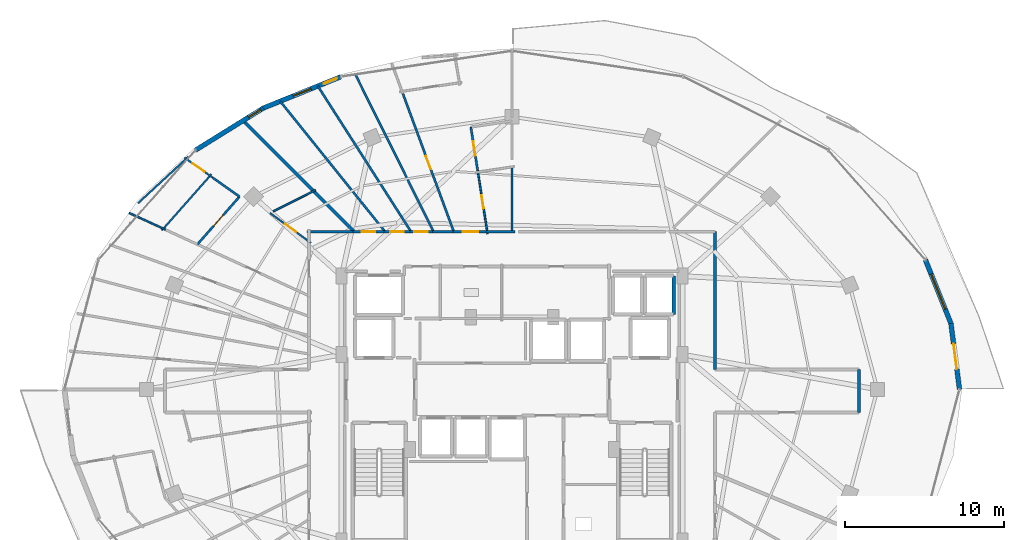
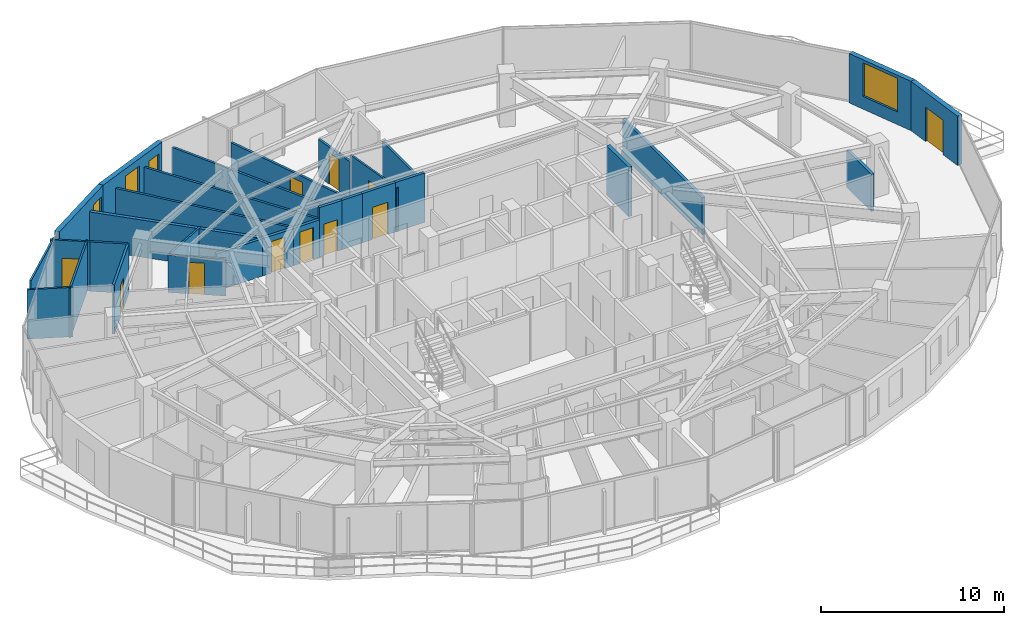
# One storey, part 28 of 32: 30 walls, 11 doors, 4 windows, 15 openings.
"""IFC4 building model written with IfcOpenShell, lengths in metres."""

from ifc_helpers import new_model, si_unit, direction, frame, frame_2d, origin, place, context, subcontext, project, spatial, rectangle, extrude, material, layer, layer_set, type_object, element, fill, save


model = new_model("IFC4")

# Units and contexts
model_context = context("Model", 3, precision=1e-05, world=origin(), true_north=direction((0.0, 1.0)))
body_context = subcontext(model_context, "Body", "Model", "MODEL_VIEW")
ifc_project = project(units=[si_unit("LENGTHUNIT", "METRE"), si_unit("AREAUNIT", "SQUARE_METRE"), si_unit("VOLUMEUNIT", "CUBIC_METRE"), si_unit("PLANEANGLEUNIT", "RADIAN"), si_unit("MASSUNIT", "GRAM", prefix="KILO")], contexts=[model_context])

# Site, building, storey
site_placement = place(None, origin())
site = spatial("IfcSite", under=ifc_project, at=site_placement, CompositionType="ELEMENT")
building_placement = place(site_placement, origin())
building = spatial("IfcBuilding", under=site, at=building_placement, Name="Vorneva Point Tower", CompositionType="ELEMENT")
storey_placement = place(building_placement, frame((0.0, 0.0, 207.199951171875)))
storey = spatial("IfcBuildingStorey", under=building, at=storey_placement, Name="L56", CompositionType="ELEMENT", Elevation=207.199951171875)

# Wall, opening, door
ifc_material_1 = material(Name="Precast concrete B50 (C40/50)", Category="concrete")
ifc_layer_1 = layer(ifc_material_1, 0.300048828125)
ifc_layer_set_1 = layer_set([ifc_layer_1], Name="Precast concrete B50 (C40/50)")
wall_type_1 = type_object("IfcWallType", Name="WL-EXT-300", PredefinedType="STANDARD", material=ifc_layer_set_1)
wall_1_placement = place(storey_placement, frame((66.22998046875, 26.0, 0.0), z_axis=(0.0, 0.0, 1.0), x_axis=(-0.129147853268, 0.991625348605, 0.0)))
wall_1 = element("IfcWall", 1, at=wall_1_placement, inside=storey, type_object=wall_type_1, Name="L56 Pale-Metal Facade Spandrel Wall 01.1", PredefinedType="STANDARD", context=body_context, shape_type="SweptSolid", body=[
    extrude(rectangle(XDim=4.200439453125, YDim=0.300048828125, at=frame_2d((2.10009765625, 0.0))), origin(), (0.0, 0.0, 1.0), 3.2900390625),
])
opening_1_placement = place(wall_1_placement, frame((1.30029296875, 0.0, 0.0)))
opening_1 = element("IfcOpeningElement", 2, at=opening_1_placement, cuts=wall_1, Name="Opening BD-01", PredefinedType="OPENING", context=body_context, shape_type="SweptSolid", body=[
    extrude(rectangle(XDim=1.60009765625, YDim=2.300048828125, at=frame_2d((0.800048828125, 1.14990234375))), frame((0.0, 0.1650390625, 0.0), z_axis=(0.0, -1.0, 0.0), x_axis=(1.0, 0.0, 0.0)), (0.0, 0.0, 1.0), 0.329833984375),
])
ifc_material_2 = material(Name="Pale anodised aluminium", Category="aluminium")
door_type_1 = type_object("IfcDoorType", Name="DR-BAL-1600", OperationType="SLIDING_TO_LEFT", PredefinedType="DOOR", material=ifc_material_2)
door_1_placement = place(opening_1_placement, origin())
door_1 = element("IfcDoor", 3, at=door_1_placement, inside=storey, type_object=door_type_1, Name="L56 Balcony Terrace Access Door 01", OperationType="SLIDING_TO_LEFT", OverallHeight=2.300048828125, OverallWidth=1.60009765625, PredefinedType="DOOR", context=body_context, shape_type="SweptSolid", body=[
    extrude(rectangle(XDim=1.60009765625, YDim=2.300048828125, at=frame_2d((0.800048828125, 1.14990234375))), frame((0.0, 0.02490234375, 0.0), z_axis=(0.0, -1.0, 0.0), x_axis=(1.0, 0.0, 0.0)), (0.0, 0.0, 1.0), 0.050048828125),
])
fill(opening_1, door_1)

# Wall, opening, window
wall_2_placement = place(storey_placement, frame((65.6875, 30.165283203125, 0.0), z_axis=(0.0, 0.0, 1.0), x_axis=(-0.372268409848, 0.928125116043, 0.0)))
wall_2 = element("IfcWall", 4, at=wall_2_placement, inside=storey, type_object=wall_type_1, Name="L56 Pale-Metal Facade Spandrel Wall 01.2", PredefinedType="STANDARD", context=body_context, shape_type="SweptSolid", body=[
    extrude(rectangle(XDim=4.315185546875, YDim=0.300048828125, at=frame_2d((2.15771484375, 0.0))), origin(), (0.0, 0.0, 1.0), 3.2900390625),
])
opening_2_placement = place(wall_2_placement, frame((0.95751953125, 0.0, 0.85009765625)))
opening_2 = element("IfcOpeningElement", 5, at=opening_2_placement, cuts=wall_2, Name="Opening W-03", PredefinedType="OPENING", context=body_context, shape_type="SweptSolid", body=[
    extrude(rectangle(XDim=2.39990234375, YDim=2.239990234375, at=frame_2d((1.199951171875, 1.1201171875))), frame((0.0, 0.1650390625, 0.0), z_axis=(0.0, -1.0, 0.0), x_axis=(1.0, 0.0, 0.0)), (0.0, 0.0, 1.0), 0.329833984375),
])
ifc_material_3 = material(Name="Double low-e laminated glass IGU", Category="glass")
window_type_1 = type_object("IfcWindowType", Name="WN-RES-2400", PartitioningType="SINGLE_PANEL", PredefinedType="WINDOW", material=ifc_material_3)
window_1_placement = place(opening_2_placement, origin())
window_1 = element("IfcWindow", 6, at=window_1_placement, inside=storey, type_object=window_type_1, Name="L56 Facade Window 01", OverallHeight=2.239990234375, OverallWidth=2.39990234375, PartitioningType="SINGLE_PANEL", PredefinedType="WINDOW", context=body_context, shape_type="SweptSolid", body=[
    extrude(rectangle(XDim=2.39990234375, YDim=2.239990234375, at=frame_2d((1.199951171875, 1.1201171875))), frame((0.0, 0.030029296875, 0.0), z_axis=(0.0, -1.0, 0.0), x_axis=(1.0, 0.0, 0.0)), (0.0, 0.0, 1.0), 0.06005859375),
])
fill(opening_2, window_1)

# Wall, openings, windows
wall_3_placement = place(storey_placement, frame((27.19677734375, 45.724853515625, 0.0), z_axis=(0.0, 0.0, 1.0), x_axis=(-0.927111094334, -0.374786630981, 0.0)))
wall_3 = element("IfcWall", 7, at=wall_3_placement, inside=storey, type_object=wall_type_1, Name="L56 Pale-Metal Facade Spandrel Wall 06.1", PredefinedType="STANDARD", context=body_context, shape_type="SweptSolid", body=[
    extrude(rectangle(XDim=5.26416015625, YDim=0.300048828125, at=frame_2d((2.632080078125, 0.0))), origin(), (0.0, 0.0, 1.0), 3.2900390625),
])
opening_3_placement = place(wall_3_placement, frame((0.25830078125, 0.0, 0.85009765625)))
opening_3 = element("IfcOpeningElement", 8, at=opening_3_placement, cuts=wall_3, Name="Opening W-08", PredefinedType="OPENING", context=body_context, shape_type="SweptSolid", body=[
    extrude(rectangle(XDim=0.89990234375, YDim=1.800048828125, at=frame_2d((0.449951171875, 0.89990234375))), frame((0.0, 0.1650390625, 0.0), z_axis=(0.0, -1.0, 0.0), x_axis=(1.0, 0.0, 0.0)), (0.0, 0.0, 1.0), 0.329833984375),
])
opening_4_placement = place(wall_3_placement, frame((2.031982421875, 0.0, 0.85009765625)))
opening_4 = element("IfcOpeningElement", 9, at=opening_4_placement, cuts=wall_3, Name="Opening W-04", PredefinedType="OPENING", context=body_context, shape_type="SweptSolid", body=[
    extrude(rectangle(XDim=1.199951171875, YDim=1.949951171875, at=frame_2d((0.60009765625, 0.97509765625))), frame((0.0, 0.1650390625, 0.0), z_axis=(0.0, -1.0, 0.0), x_axis=(1.0, 0.0, 0.0)), (0.0, 0.0, 1.0), 0.329833984375),
])
window_type_2 = type_object("IfcWindowType", Name="WN-CAS-900", PartitioningType="SINGLE_PANEL", PredefinedType="WINDOW", material=ifc_material_3)
window_2_placement = place(opening_3_placement, origin())
window_2 = element("IfcWindow", 10, at=window_2_placement, inside=storey, type_object=window_type_2, Name="L56 Dwelling Vision Window 01", OverallHeight=1.800048828125, OverallWidth=0.89990234375, PartitioningType="SINGLE_PANEL", PredefinedType="WINDOW", context=body_context, shape_type="SweptSolid", body=[
    extrude(rectangle(XDim=0.89990234375, YDim=1.800048828125, at=frame_2d((0.449951171875, 0.89990234375))), frame((0.0, 0.030029296875, 0.0), z_axis=(0.0, -1.0, 0.0), x_axis=(1.0, 0.0, 0.0)), (0.0, 0.0, 1.0), 0.06005859375),
])
fill(opening_3, window_2)
window_type_3 = type_object("IfcWindowType", Name="WN-RES-1200", PartitioningType="SINGLE_PANEL", PredefinedType="WINDOW", material=ifc_material_3)
window_3_placement = place(opening_4_placement, origin())
window_3 = element("IfcWindow", 11, at=window_3_placement, inside=storey, type_object=window_type_3, Name="L56 Dwelling Vision Window 02", OverallHeight=1.949951171875, OverallWidth=1.199951171875, PartitioningType="SINGLE_PANEL", PredefinedType="WINDOW", context=body_context, shape_type="SweptSolid", body=[
    extrude(rectangle(XDim=1.199951171875, YDim=1.949951171875, at=frame_2d((0.60009765625, 0.97509765625))), frame((0.0, 0.030029296875, 0.0), z_axis=(0.0, -1.0, 0.0), x_axis=(1.0, 0.0, 0.0)), (0.0, 0.0, 1.0), 0.06005859375),
])
fill(opening_4, window_3)

# Wall, opening, window
wall_4_placement = place(storey_placement, frame((22.31640625, 43.751953125, 0.0), z_axis=(0.0, 0.0, 1.0), x_axis=(-0.849647657754, -0.527350791858, 0.0)))
wall_4 = element("IfcWall", 12, at=wall_4_placement, inside=storey, type_object=wall_type_1, Name="L56 Pale-Metal Facade Spandrel Wall 06.2", PredefinedType="STANDARD", context=body_context, shape_type="SweptSolid", body=[
    extrude(rectangle(XDim=5.03515625, YDim=0.300048828125, at=frame_2d((2.517578125, 0.0))), origin(), (0.0, 0.0, 1.0), 3.2900390625),
])
opening_5_placement = place(wall_4_placement, frame((0.19921875, 0.0, 0.85009765625)))
opening_5 = element("IfcOpeningElement", 13, at=opening_5_placement, cuts=wall_4, Name="Opening W-08", PredefinedType="OPENING", context=body_context, shape_type="SweptSolid", body=[
    extrude(rectangle(XDim=0.89990234375, YDim=1.800048828125, at=frame_2d((0.449951171875, 0.89990234375))), frame((0.0, 0.1650390625, 0.0), z_axis=(0.0, -1.0, 0.0), x_axis=(1.0, 0.0, 0.0)), (0.0, 0.0, 1.0), 0.329833984375),
])
window_4_placement = place(opening_5_placement, origin())
window_4 = element("IfcWindow", 14, at=window_4_placement, inside=storey, type_object=window_type_2, Name="L56 Dwelling Vision Window 03", OverallHeight=1.800048828125, OverallWidth=0.89990234375, PartitioningType="SINGLE_PANEL", PredefinedType="WINDOW", context=body_context, shape_type="SweptSolid", body=[
    extrude(rectangle(XDim=0.89990234375, YDim=1.800048828125, at=frame_2d((0.449951171875, 0.89990234375))), frame((0.0, 0.030029296875, 0.0), z_axis=(0.0, -1.0, 0.0), x_axis=(1.0, 0.0, 0.0)), (0.0, 0.0, 1.0), 0.06005859375),
])
fill(opening_5, window_4)

# Wall, opening, door
ifc_material_4 = material(Name="Fire-rated acoustic gypsum stud partition", Category="gypsum")
ifc_layer_2 = layer(ifc_material_4, 0.110107421875)
ifc_layer_set_2 = layer_set([ifc_layer_2], Name="Fire-rated acoustic gypsum stud partition")
wall_type_2 = type_object("IfcWallType", Name="WL-PART-110", PredefinedType="PARTITIONING", material=ifc_layer_set_2)
wall_5_placement = place(storey_placement, frame((36.461669921875, 35.811767578125, 0.0), z_axis=(0.0, 0.0, 1.0), x_axis=(-0.154883213323, 0.987932786292, 0.0)))
wall_5 = element("IfcWall", 15, at=wall_5_placement, inside=storey, type_object=wall_type_2, Name="L56 Interior Partition 071", PredefinedType="PARTITIONING", context=body_context, shape_type="SweptSolid", body=[
    extrude(rectangle(XDim=4.0888671875, YDim=0.110107421875, at=frame_2d((2.04443359375, 0.0))), origin(), (0.0, 0.0, 1.0), 2.93603515625),
])
opening_6_placement = place(wall_5_placement, frame((1.619384765625, 0.0, 0.0)))
opening_6 = element("IfcOpeningElement", 16, at=opening_6_placement, cuts=wall_5, Name="Opening ID-02", PredefinedType="OPENING", context=body_context, shape_type="SweptSolid", body=[
    extrude(rectangle(XDim=0.85009765625, YDim=2.10009765625, at=frame_2d((0.425048828125, 1.050048828125))), frame((0.0, 0.06982421875, 0.0), z_axis=(0.0, -1.0, 0.0), x_axis=(1.0, 0.0, 0.0)), (0.0, 0.0, 1.0), 0.139892578125),
])
ifc_material_5 = material(Name="Engineered oak fire-rated door leaf", Category="wood")
door_type_2 = type_object("IfcDoorType", Name="DR-BATH-850", OperationType="NOTDEFINED", PredefinedType="DOOR", material=ifc_material_5)
door_2_placement = place(opening_6_placement, origin())
door_2 = element("IfcDoor", 17, at=door_2_placement, inside=storey, type_object=door_type_2, Name="L56 Door Living and Dining Room L56-01 / Bathroom L56-01", OperationType="SINGLE_SWING_RIGHT", OverallHeight=2.10009765625, OverallWidth=0.85009765625, PredefinedType="DOOR", context=body_context, shape_type="SweptSolid", body=[
    extrude(rectangle(XDim=0.85009765625, YDim=2.10009765625, at=frame_2d((0.425048828125, 1.050048828125))), frame((0.0, 0.02490234375, 0.0), z_axis=(0.0, -1.0, 0.0), x_axis=(1.0, 0.0, 0.0)), (0.0, 0.0, 1.0), 0.050048828125),
])
fill(opening_6, door_2)

wall_6_placement = place(storey_placement, frame((25.31298828125, 35.24755859375, 0.0), z_axis=(0.0, 0.0, 1.0), x_axis=(-0.807968083988, 0.58922625133, 0.0)))
wall_6 = element("IfcWall", 18, at=wall_6_placement, inside=storey, type_object=wall_type_2, Name="L56 Interior Partition 084", PredefinedType="PARTITIONING", context=body_context, shape_type="SweptSolid", body=[
    extrude(rectangle(XDim=3.192138671875, YDim=0.110107421875, at=frame_2d((1.59619140625, 0.0))), origin(), (0.0, 0.0, 1.0), 2.48193359375),
])
opening_7_placement = place(wall_6_placement, frame((1.171142578125, 0.0, 0.0)))
opening_7 = element("IfcOpeningElement", 19, at=opening_7_placement, cuts=wall_6, Name="Opening ID-02", PredefinedType="OPENING", context=body_context, shape_type="SweptSolid", body=[
    extrude(rectangle(XDim=0.85009765625, YDim=2.10009765625, at=frame_2d((0.425048828125, 1.050048828125))), frame((0.0, 0.06982421875, 0.0), z_axis=(0.0, -1.0, 0.0), x_axis=(1.0, 0.0, 0.0)), (0.0, 0.0, 1.0), 0.139892578125),
])
door_3_placement = place(opening_7_placement, origin())
door_3 = element("IfcDoor", 20, at=door_3_placement, inside=storey, type_object=door_type_2, Name="L56 Door Living and Dining Room L56-02 / Bathroom L56-02", OperationType="SINGLE_SWING_RIGHT", OverallHeight=2.10009765625, OverallWidth=0.85009765625, PredefinedType="DOOR", context=body_context, shape_type="SweptSolid", body=[
    extrude(rectangle(XDim=0.85009765625, YDim=2.10009765625, at=frame_2d((0.425048828125, 1.050048828125))), frame((0.0, 0.02490234375, 0.0), z_axis=(0.0, -1.0, 0.0), x_axis=(1.0, 0.0, 0.0)), (0.0, 0.0, 1.0), 0.050048828125),
])
fill(opening_7, door_3)

# Walls
wall_7_placement = place(storey_placement, frame((22.941162109375, 37.23095703125, 0.0), z_axis=(0.0, 0.0, 1.0), x_axis=(0.892507731149, 0.451032094024, 0.0)))
element("IfcWall", 21, at=wall_7_placement, inside=storey, type_object=wall_type_2, Name="L56 Interior Partition 085", PredefinedType="PARTITIONING", context=body_context, shape_type="SweptSolid", body=[
    extrude(rectangle(XDim=2.989013671875, YDim=0.110107421875, at=frame_2d((1.49462890625, 0.0))), origin(), (0.0, 0.0, 1.0), 2.48193359375),
])
wall_8_placement = place(storey_placement, frame((17.58984375, 40.681884765625, 0.0), z_axis=(0.0, 0.0, 1.0), x_axis=(-0.734861902375, -0.678216768031, 0.0)))
element("IfcWall", 22, at=wall_8_placement, inside=storey, type_object=wall_type_2, Name="L56 Interior Partition 086", PredefinedType="PARTITIONING", context=body_context, shape_type="SweptSolid", body=[
    extrude(rectangle(XDim=4.322998046875, YDim=0.110107421875, at=frame_2d((2.16162109375, 0.0))), origin(), (0.0, 0.0, 1.0), 3.2900390625),
])

# Wall, opening, door
wall_9_placement = place(storey_placement, frame((17.32763671875, 40.625732421875, 0.0), z_axis=(0.0, 0.0, 1.0), x_axis=(0.816448938693, -0.577417639588, 0.0)))
wall_9 = element("IfcWall", 23, at=wall_9_placement, inside=storey, type_object=wall_type_2, Name="L56 Interior Partition 087", PredefinedType="PARTITIONING", context=body_context, shape_type="SweptSolid", body=[
    extrude(rectangle(XDim=2.19189453125, YDim=0.110107421875, at=frame_2d((1.095947265625, 0.0))), origin(), (0.0, 0.0, 1.0), 3.2900390625),
])
opening_8_placement = place(wall_9_placement, frame((0.64599609375, 0.0, 0.0)))
opening_8 = element("IfcOpeningElement", 24, at=opening_8_placement, cuts=wall_9, Name="Opening ID-01", PredefinedType="OPENING", context=body_context, shape_type="SweptSolid", body=[
    extrude(rectangle(XDim=0.89990234375, YDim=2.10009765625, at=frame_2d((0.449951171875, 1.050048828125))), frame((0.0, 0.06982421875, 0.0), z_axis=(0.0, -1.0, 0.0), x_axis=(1.0, 0.0, 0.0)), (0.0, 0.0, 1.0), 0.139892578125),
])
door_type_3 = type_object("IfcDoorType", Name="DR-ROOM-900", OperationType="NOTDEFINED", PredefinedType="DOOR", material=ifc_material_5)
door_4_placement = place(opening_8_placement, origin())
door_4 = element("IfcDoor", 25, at=door_4_placement, inside=storey, type_object=door_type_3, Name="L56 Door Living and Dining Room L56-02 / Kitchen L56-02", OperationType="SINGLE_SWING_RIGHT", OverallHeight=2.10009765625, OverallWidth=0.89990234375, PredefinedType="DOOR", context=body_context, shape_type="SweptSolid", body=[
    extrude(rectangle(XDim=0.89990234375, YDim=2.10009765625, at=frame_2d((0.449951171875, 1.050048828125))), frame((0.0, 0.02490234375, 0.0), z_axis=(0.0, -1.0, 0.0), x_axis=(1.0, 0.0, 0.0)), (0.0, 0.0, 1.0), 0.050048828125),
])
fill(opening_8, door_4)

# Walls
wall_10_placement = place(storey_placement, frame((15.913330078125, 36.0341796875, 0.0), z_axis=(0.0, 0.0, 1.0), x_axis=(0.662189711464, 0.749336230294, 0.0)))
element("IfcWall", 26, at=wall_10_placement, inside=storey, type_object=wall_type_2, Name="L56 Interior Partition 092", PredefinedType="PARTITIONING", context=body_context, shape_type="SweptSolid", body=[
    extrude(rectangle(XDim=4.731689453125, YDim=0.110107421875, at=frame_2d((2.36572265625, 0.0))), origin(), (0.0, 0.0, 1.0), 3.2900390625),
])
wall_11_placement = place(storey_placement, frame((13.846923828125, 37.134521484375, 0.0), z_axis=(0.0, 0.0, 1.0), x_axis=(0.908101251341, -0.418750662462, 0.0)))
element("IfcWall", 27, at=wall_11_placement, inside=storey, type_object=wall_type_2, Name="L56 Interior Partition 093", PredefinedType="PARTITIONING", context=body_context, shape_type="SweptSolid", body=[
    extrude(rectangle(XDim=2.517578125, YDim=0.110107421875, at=frame_2d((1.2587890625, 0.0))), origin(), (0.0, 0.0, 1.0), 3.2900390625),
])

# Wall, opening, door
ifc_layer_3 = layer(ifc_material_4, 0.139892578125)
ifc_layer_set_3 = layer_set([ifc_layer_3], Name="Fire-rated acoustic gypsum stud partition")
wall_type_3 = type_object("IfcWallType", Name="WL-PART-140", PredefinedType="PARTITIONING", material=ifc_layer_set_3)
wall_12_placement = place(storey_placement, frame((35.828369140625, 39.851318359375, 0.0), z_axis=(0.0, 0.0, 1.0), x_axis=(-0.154971189464, 0.987918989814, 0.0)))
wall_12 = element("IfcWall", 28, at=wall_12_placement, inside=storey, type_object=wall_type_3, Name="L56 Interior Partition 077", PredefinedType="PARTITIONING", context=body_context, shape_type="SweptSolid", body=[
    extrude(rectangle(XDim=2.731689453125, YDim=0.139892578125, at=frame_2d((1.36572265625, 0.0))), origin(), (0.0, 0.0, 1.0), 2.48193359375),
])
opening_9_placement = place(wall_12_placement, frame((0.915771484375, 0.0, 0.0)))
opening_9 = element("IfcOpeningElement", 29, at=opening_9_placement, cuts=wall_12, Name="Opening ID-01", PredefinedType="OPENING", context=body_context, shape_type="SweptSolid", body=[
    extrude(rectangle(XDim=0.89990234375, YDim=2.10009765625, at=frame_2d((0.449951171875, 1.050048828125))), frame((0.0, 0.0849609375, 0.0), z_axis=(0.0, -1.0, 0.0), x_axis=(1.0, 0.0, 0.0)), (0.0, 0.0, 1.0), 0.169677734375),
])
door_5_placement = place(opening_9_placement, origin())
door_5 = element("IfcDoor", 30, at=door_5_placement, inside=storey, type_object=door_type_3, Name="L56 Door Living and Dining Room L56-01 / Study Room L56-01", OperationType="SINGLE_SWING_RIGHT", OverallHeight=2.10009765625, OverallWidth=0.89990234375, PredefinedType="DOOR", context=body_context, shape_type="SweptSolid", body=[
    extrude(rectangle(XDim=0.89990234375, YDim=2.10009765625, at=frame_2d((0.449951171875, 1.050048828125))), frame((0.0, 0.02490234375, 0.0), z_axis=(0.0, -1.0, 0.0), x_axis=(1.0, 0.0, 0.0)), (0.0, 0.0, 1.0), 0.050048828125),
])
fill(opening_9, door_5)

wall_13_placement = place(storey_placement, frame((31.1123046875, 44.669677734375, 0.0), z_axis=(0.0, 0.0, 1.0), x_axis=(0.346109472243, -0.938194134081, 0.0)))
wall_13 = element("IfcWall", 31, at=wall_13_placement, inside=storey, type_object=wall_type_3, Name="L56 Interior Partition 078", PredefinedType="PARTITIONING", context=body_context, shape_type="SweptSolid", body=[
    extrude(rectangle(XDim=9.294189453125, YDim=0.139892578125, at=frame_2d((4.64697265625, 0.0))), origin(), (0.0, 0.0, 1.0), 2.48193359375),
])
opening_10_placement = place(wall_13_placement, frame((4.197021484375, 0.0, 0.0)))
opening_10 = element("IfcOpeningElement", 32, at=opening_10_placement, cuts=wall_13, Name="Opening ID-01", PredefinedType="OPENING", context=body_context, shape_type="SweptSolid", body=[
    extrude(rectangle(XDim=0.89990234375, YDim=2.10009765625, at=frame_2d((0.449951171875, 1.050048828125))), frame((0.0, 0.0849609375, 0.0), z_axis=(0.0, -1.0, 0.0), x_axis=(1.0, 0.0, 0.0)), (0.0, 0.0, 1.0), 0.169677734375),
])
door_6_placement = place(opening_10_placement, origin())
door_6 = element("IfcDoor", 33, at=door_6_placement, inside=storey, type_object=door_type_3, Name="L56 Door Living and Dining Room L56-01 / Master Bedroom L56-01.1", OperationType="SINGLE_SWING_LEFT", OverallHeight=2.10009765625, OverallWidth=0.89990234375, PredefinedType="DOOR", context=body_context, shape_type="SweptSolid", body=[
    extrude(rectangle(XDim=0.89990234375, YDim=2.10009765625, at=frame_2d((0.449951171875, 1.050048828125))), frame((0.0, 0.02490234375, 0.0), z_axis=(0.0, -1.0, 0.0), x_axis=(1.0, 0.0, 0.0)), (0.0, 0.0, 1.0), 0.050048828125),
])
fill(opening_10, door_6)

# Walls
wall_14_placement = place(storey_placement, frame((28.091064453125, 45.927978515625, 0.0), z_axis=(0.0, 0.0, 1.0), x_axis=(0.445267068418, -0.895397809793, 0.0)))
element("IfcWall", 34, at=wall_14_placement, inside=storey, type_object=wall_type_3, Name="L56 Interior Partition 080", PredefinedType="PARTITIONING", context=body_context, shape_type="SweptSolid", body=[
    extrude(rectangle(XDim=11.143798828125, YDim=0.139892578125, at=frame_2d((5.57177734375, 0.0))), origin(), (0.0, 0.0, 1.0), 2.48193359375),
])
wall_15_placement = place(storey_placement, frame((25.7490234375, 45.137939453125, 0.0), z_axis=(0.0, 0.0, 1.0), x_axis=(0.539168632786, -0.842197830335, 0.0)))
element("IfcWall", 35, at=wall_15_placement, inside=storey, type_object=wall_type_3, Name="L56 Interior Partition 081", PredefinedType="PARTITIONING", context=body_context, shape_type="SweptSolid", body=[
    extrude(rectangle(XDim=10.909423828125, YDim=0.139892578125, at=frame_2d((5.45458984375, 0.0))), origin(), (0.0, 0.0, 1.0), 2.48193359375),
])
wall_16_placement = place(storey_placement, frame((23.3779296875, 44.177978515625, 0.0), z_axis=(0.0, 0.0, 1.0), x_axis=(0.626756813732, -0.779214923137, 0.0)))
element("IfcWall", 36, at=wall_16_placement, inside=storey, type_object=wall_type_3, Name="L56 Interior Partition 082", PredefinedType="PARTITIONING", context=body_context, shape_type="SweptSolid", body=[
    extrude(rectangle(XDim=10.559326171875, YDim=0.139892578125, at=frame_2d((5.27978515625, 0.0))), origin(), (0.0, 0.0, 1.0), 2.48193359375),
])

# Wall, opening, door
wall_17_placement = place(storey_placement, frame((20.81201171875, 38.160888671875, 0.0), z_axis=(0.0, 0.0, 1.0), x_axis=(-0.662063683649, -0.749447582418, 0.0)))
wall_17 = element("IfcWall", 37, at=wall_17_placement, inside=storey, type_object=wall_type_3, Name="L56 Interior Partition 088", PredefinedType="PARTITIONING", context=body_context, shape_type="SweptSolid", body=[
    extrude(rectangle(XDim=4.017578125, YDim=0.139892578125, at=frame_2d((2.0087890625, 0.0))), origin(), (0.0, 0.0, 1.0), 3.2900390625),
])
opening_11_placement = place(wall_17_placement, frame((1.558837890625, 0.0, 0.0)))
opening_11 = element("IfcOpeningElement", 38, at=opening_11_placement, cuts=wall_17, Name="Opening ID-01", PredefinedType="OPENING", context=body_context, shape_type="SweptSolid", body=[
    extrude(rectangle(XDim=0.89990234375, YDim=2.10009765625, at=frame_2d((0.449951171875, 1.050048828125))), frame((0.0, 0.0849609375, 0.0), z_axis=(0.0, -1.0, 0.0), x_axis=(1.0, 0.0, 0.0)), (0.0, 0.0, 1.0), 0.169677734375),
])
door_7_placement = place(opening_11_placement, origin())
door_7 = element("IfcDoor", 39, at=door_7_placement, inside=storey, type_object=door_type_3, Name="L56 Door Living and Dining Room L56-02 / Study Room L56-02", OperationType="SINGLE_SWING_LEFT", OverallHeight=2.10009765625, OverallWidth=0.89990234375, PredefinedType="DOOR", context=body_context, shape_type="SweptSolid", body=[
    extrude(rectangle(XDim=0.89990234375, YDim=2.10009765625, at=frame_2d((0.449951171875, 1.050048828125))), frame((0.0, 0.02490234375, 0.0), z_axis=(0.0, -1.0, 0.0), x_axis=(1.0, 0.0, 0.0)), (0.0, 0.0, 1.0), 0.050048828125),
])
fill(opening_11, door_7)

# Walls
wall_18_placement = place(storey_placement, frame((19.1171875, 39.360107421875, 0.0), z_axis=(0.0, 0.0, 1.0), x_axis=(0.816315567802, -0.577606175316, 0.0)))
element("IfcWall", 40, at=wall_18_placement, inside=storey, type_object=wall_type_3, Name="L56 Interior Partition 090", PredefinedType="PARTITIONING", context=body_context, shape_type="SweptSolid", body=[
    extrude(rectangle(XDim=2.076171875, YDim=0.139892578125, at=frame_2d((1.0380859375, 0.0))), origin(), (0.0, 0.0, 1.0), 3.2900390625),
])
wall_19_placement = place(storey_placement, frame((38.0, 35.919921875, 0.0), z_axis=(0.0, 0.0, 1.0), x_axis=(0.0, 1.0, 0.0)))
element("IfcWall", 41, at=wall_19_placement, inside=storey, type_object=wall_type_3, Name="L56 Interior Closure Partition 170", PredefinedType="PARTITIONING", context=body_context, shape_type="SweptSolid", body=[
    extrude(rectangle(XDim=4.14501953125, YDim=0.139892578125, at=frame_2d((2.072509765625, 0.0))), origin(), (0.0, 0.0, 1.0), 2.93603515625),
])

# Wall, opening, door
ifc_material_6 = material(Name="Autoclaved aerated concrete blockwork", Category="masonry")
ifc_layer_4 = layer(ifc_material_6, 0.179931640625)
ifc_layer_set_4 = layer_set([ifc_layer_4], Name="Autoclaved aerated concrete blockwork")
wall_type_4 = type_object("IfcWallType", Name="WL-PART-180", PredefinedType="PARTITIONING", material=ifc_layer_set_4)
wall_20_placement = place(storey_placement, frame((36.5, 35.949951171875, 0.0), z_axis=(0.0, 0.0, 1.0), x_axis=(-1.0, 0.0, 0.0)))
wall_20 = element("IfcWall", 42, at=wall_20_placement, inside=storey, type_object=wall_type_4, Name="L56 Interior Partition 026", PredefinedType="PARTITIONING", context=body_context, shape_type="SweptSolid", body=[
    extrude(rectangle(XDim=2.235107421875, YDim=0.179931640625, at=frame_2d((1.11767578125, 0.0))), origin(), (0.0, 0.0, 1.0), 3.2900390625),
])
opening_12_placement = place(wall_20_placement, frame((0.617431640625, 0.0, 0.0)))
opening_12 = element("IfcOpeningElement", 43, at=opening_12_placement, cuts=wall_20, Name="Opening UD-01", PredefinedType="OPENING", context=body_context, shape_type="SweptSolid", body=[
    extrude(rectangle(XDim=1.0, YDim=2.14990234375, at=frame_2d((0.5, 1.074951171875))), frame((0.0, 0.10498046875, 0.0), z_axis=(0.0, -1.0, 0.0), x_axis=(1.0, 0.0, 0.0)), (0.0, 0.0, 1.0), 0.209716796875),
])
door_type_4 = type_object("IfcDoorType", Name="DR-UNIT-1000", OperationType="NOTDEFINED", PredefinedType="DOOR", material=ifc_material_5)
door_8_placement = place(opening_12_placement, origin())
door_8 = element("IfcDoor", 44, at=door_8_placement, inside=storey, type_object=door_type_4, Name="L56 Door L56 Circulation Corridor / Living and Dining Room L56-01", OperationType="SINGLE_SWING_RIGHT", OverallHeight=2.14990234375, OverallWidth=1.0, PredefinedType="DOOR", context=body_context, shape_type="SweptSolid", body=[
    extrude(rectangle(XDim=1.0, YDim=2.14990234375, at=frame_2d((0.5, 1.074951171875))), frame((0.0, 0.02490234375, 0.0), z_axis=(0.0, -1.0, 0.0), x_axis=(1.0, 0.0, 0.0)), (0.0, 0.0, 1.0), 0.050048828125),
])
fill(opening_12, door_8)

# Walls
wall_21_placement = place(storey_placement, frame((38.199951171875, 35.949951171875, 0.0), z_axis=(0.0, 0.0, 1.0), x_axis=(-1.0, 0.0, 0.0)))
element("IfcWall", 45, at=wall_21_placement, inside=storey, type_object=wall_type_4, Name="L56 Interior Partition 027", PredefinedType="PARTITIONING", context=body_context, shape_type="SweptSolid", body=[
    extrude(rectangle(XDim=1.83984375, YDim=0.179931640625, at=frame_2d((0.919921875, 0.0))), origin(), (0.0, 0.0, 1.0), 3.2900390625),
])
wall_22_placement = place(storey_placement, frame((34.264892578125, 35.949951171875, 0.0), z_axis=(0.0, 0.0, 1.0), x_axis=(-1.0, 0.0, 0.0)))
element("IfcWall", 46, at=wall_22_placement, inside=storey, type_object=wall_type_4, Name="L56 Interior Partition 028", PredefinedType="PARTITIONING", context=body_context, shape_type="SweptSolid", body=[
    extrude(rectangle(XDim=1.27880859375, YDim=0.179931640625, at=frame_2d((0.639404296875, 0.0))), origin(), (0.0, 0.0, 1.0), 3.2900390625),
])

# Wall, opening, door
wall_23_placement = place(storey_placement, frame((32.986083984375, 35.949951171875, 0.0), z_axis=(0.0, 0.0, 1.0), x_axis=(-1.0, 0.0, 0.0)))
wall_23 = element("IfcWall", 47, at=wall_23_placement, inside=storey, type_object=wall_type_4, Name="L56 Interior Partition 029", PredefinedType="PARTITIONING", context=body_context, shape_type="SweptSolid", body=[
    extrude(rectangle(XDim=1.426025390625, YDim=0.179931640625, at=frame_2d((0.712890625, 0.0))), origin(), (0.0, 0.0, 1.0), 3.2900390625),
])
opening_13_placement = place(wall_23_placement, frame((0.2880859375, 0.0, 0.0)))
opening_13 = element("IfcOpeningElement", 48, at=opening_13_placement, cuts=wall_23, Name="Opening ID-02", PredefinedType="OPENING", context=body_context, shape_type="SweptSolid", body=[
    extrude(rectangle(XDim=0.85009765625, YDim=2.10009765625, at=frame_2d((0.425048828125, 1.050048828125))), frame((0.0, 0.10498046875, 0.0), z_axis=(0.0, -1.0, 0.0), x_axis=(1.0, 0.0, 0.0)), (0.0, 0.0, 1.0), 0.209716796875),
])
door_9_placement = place(opening_13_placement, origin())
door_9 = element("IfcDoor", 49, at=door_9_placement, inside=storey, type_object=door_type_2, Name="L56 Access Door L56 Circulation Corridor", OperationType="SINGLE_SWING_RIGHT", OverallHeight=2.10009765625, OverallWidth=0.85009765625, PredefinedType="DOOR", context=body_context, shape_type="SweptSolid", body=[
    extrude(rectangle(XDim=0.85009765625, YDim=2.10009765625, at=frame_2d((0.425048828125, 1.050048828125))), frame((0.0, 0.02490234375, 0.0), z_axis=(0.0, -1.0, 0.0), x_axis=(1.0, 0.0, 0.0)), (0.0, 0.0, 1.0), 0.050048828125),
])
fill(opening_13, door_9)

wall_24_placement = place(storey_placement, frame((31.56005859375, 35.949951171875, 0.0), z_axis=(0.0, 0.0, 1.0), x_axis=(-1.0, 0.0, 0.0)))
wall_24 = element("IfcWall", 50, at=wall_24_placement, inside=storey, type_object=wall_type_4, Name="L56 Interior Partition 030", PredefinedType="PARTITIONING", context=body_context, shape_type="SweptSolid", body=[
    extrude(rectangle(XDim=1.64111328125, YDim=0.179931640625, at=frame_2d((0.820556640625, 0.0))), origin(), (0.0, 0.0, 1.0), 2.48193359375),
])
opening_14_placement = place(wall_24_placement, frame((0.3955078125, 0.0, 0.0)))
opening_14 = element("IfcOpeningElement", 51, at=opening_14_placement, cuts=wall_24, Name="Opening ID-02", PredefinedType="OPENING", context=body_context, shape_type="SweptSolid", body=[
    extrude(rectangle(XDim=0.85009765625, YDim=2.10009765625, at=frame_2d((0.425048828125, 1.050048828125))), frame((0.0, 0.10498046875, 0.0), z_axis=(0.0, -1.0, 0.0), x_axis=(1.0, 0.0, 0.0)), (0.0, 0.0, 1.0), 0.209716796875),
])
door_10_placement = place(opening_14_placement, origin())
door_10 = element("IfcDoor", 52, at=door_10_placement, inside=storey, type_object=door_type_2, Name="L56 Access Door L56 Circulation Corridor", OperationType="SINGLE_SWING_LEFT", OverallHeight=2.10009765625, OverallWidth=0.85009765625, PredefinedType="DOOR", context=body_context, shape_type="SweptSolid", body=[
    extrude(rectangle(XDim=0.85009765625, YDim=2.10009765625, at=frame_2d((0.425048828125, 1.050048828125))), frame((0.0, 0.02490234375, 0.0), z_axis=(0.0, -1.0, 0.0), x_axis=(1.0, 0.0, 0.0)), (0.0, 0.0, 1.0), 0.050048828125),
])
fill(opening_14, door_10)

wall_25_placement = place(storey_placement, frame((29.9189453125, 35.949951171875, 0.0), z_axis=(0.0, 0.0, 1.0), x_axis=(-1.0, 0.0, 0.0)))
wall_25 = element("IfcWall", 53, at=wall_25_placement, inside=storey, type_object=wall_type_4, Name="L56 Interior Partition 031", PredefinedType="PARTITIONING", context=body_context, shape_type="SweptSolid", body=[
    extrude(rectangle(XDim=1.953857421875, YDim=0.179931640625, at=frame_2d((0.97705078125, 0.0))), origin(), (0.0, 0.0, 1.0), 2.48193359375),
])
opening_15_placement = place(wall_25_placement, frame((0.552001953125, 0.0, 0.0)))
opening_15 = element("IfcOpeningElement", 54, at=opening_15_placement, cuts=wall_25, Name="Opening ID-02", PredefinedType="OPENING", context=body_context, shape_type="SweptSolid", body=[
    extrude(rectangle(XDim=0.85009765625, YDim=2.10009765625, at=frame_2d((0.425048828125, 1.050048828125))), frame((0.0, 0.10498046875, 0.0), z_axis=(0.0, -1.0, 0.0), x_axis=(1.0, 0.0, 0.0)), (0.0, 0.0, 1.0), 0.209716796875),
])
door_11_placement = place(opening_15_placement, origin())
door_11 = element("IfcDoor", 55, at=door_11_placement, inside=storey, type_object=door_type_2, Name="L56 Access Door L56 Circulation Corridor", OperationType="SINGLE_SWING_RIGHT", OverallHeight=2.10009765625, OverallWidth=0.85009765625, PredefinedType="DOOR", context=body_context, shape_type="SweptSolid", body=[
    extrude(rectangle(XDim=0.85009765625, YDim=2.10009765625, at=frame_2d((0.425048828125, 1.050048828125))), frame((0.0, 0.02490234375, 0.0), z_axis=(0.0, -1.0, 0.0), x_axis=(1.0, 0.0, 0.0)), (0.0, 0.0, 1.0), 0.050048828125),
])
fill(opening_15, door_11)

# Walls
wall_26_placement = place(storey_placement, frame((28.10498046875, 35.949951171875, 0.0), z_axis=(0.0, 0.0, 1.0), x_axis=(-1.0, 0.0, 0.0)))
element("IfcWall", 56, at=wall_26_placement, inside=storey, type_object=wall_type_4, Name="L56 Interior Partition 033", PredefinedType="PARTITIONING", context=body_context, shape_type="SweptSolid", body=[
    extrude(rectangle(XDim=3.044921875, YDim=0.179931640625, at=frame_2d((1.5224609375, 0.0))), origin(), (0.0, 0.0, 1.0), 2.48193359375),
])
wall_27_placement = place(storey_placement, frame((59.89990234375, 24.550048828125, 0.0), z_axis=(0.0, 0.0, 1.0), x_axis=(0.0, 1.0, 0.0)))
element("IfcWall", 57, at=wall_27_placement, inside=storey, type_object=wall_type_4, Name="L56 Interior Partition 067", PredefinedType="PARTITIONING", context=body_context, shape_type="SweptSolid", body=[
    extrude(rectangle(XDim=2.699951171875, YDim=0.179931640625, at=frame_2d((1.35009765625, 0.0))), origin(), (0.0, 0.0, 1.0), 2.48193359375),
])
wall_28_placement = place(storey_placement, frame((50.800048828125, 27.25, 0.0), z_axis=(0.0, 0.0, 1.0), x_axis=(0.0, 1.0, 0.0)))
element("IfcWall", 58, at=wall_28_placement, inside=storey, type_object=wall_type_4, Name="L56 Interior Partition 069", PredefinedType="PARTITIONING", context=body_context, shape_type="SweptSolid", body=[
    extrude(rectangle(XDim=8.699951171875, YDim=0.179931640625, at=frame_2d((4.35009765625, 0.0))), origin(), (0.0, 0.0, 1.0), 2.48193359375),
])
ifc_layer_5 = layer(ifc_material_6, 0.199951171875)
ifc_layer_set_5 = layer_set([ifc_layer_5], Name="Autoclaved aerated concrete blockwork")
wall_type_5 = type_object("IfcWallType", Name="WL-PART-200", PredefinedType="PARTITIONING", material=ifc_layer_set_5)
wall_29_placement = place(storey_placement, frame((21.041015625, 42.958984375, 0.0), z_axis=(0.0, 0.0, 1.0), x_axis=(0.707106781187, -0.707106781187, 0.0)))
element("IfcWall", 59, at=wall_29_placement, inside=storey, type_object=wall_type_5, Name="L56 Interior Partition 083", PredefinedType="PARTITIONING", context=body_context, shape_type="SweptSolid", body=[
    extrude(rectangle(XDim=9.912353515625, YDim=0.199951171875, at=frame_2d((4.9560546875, 0.0))), origin(), (0.0, 0.0, 1.0), 2.48193359375),
])
ifc_material_7 = material(Name="Concrete B50 (C40/50)", Category="concrete")
ifc_layer_6 = layer(ifc_material_7, 0.219970703125)
ifc_layer_set_6 = layer_set([ifc_layer_6], Name="Concrete B50 (C40/50)")
wall_type_6 = type_object("IfcWallType", Name="WL-SHFT-220", PredefinedType="SOLIDWALL", material=ifc_layer_set_6)
wall_30_placement = place(storey_placement, frame((48.199951171875, 30.739990234375, 0.0), z_axis=(0.0, 0.0, 1.0), x_axis=(0.0, 1.0, 0.0)))
element("IfcWall", 60, at=wall_30_placement, inside=storey, type_object=wall_type_6, Name="L56 Lift EX2 Shaft Wall +X", PredefinedType="SOLIDWALL", context=body_context, shape_type="SweptSolid", body=[
    extrude(rectangle(XDim=2.419921875, YDim=0.219970703125, at=frame_2d((1.2099609375, 0.0))), origin(), (0.0, 0.0, 1.0), 3.2900390625),
])

save(model, "model.ifc")
